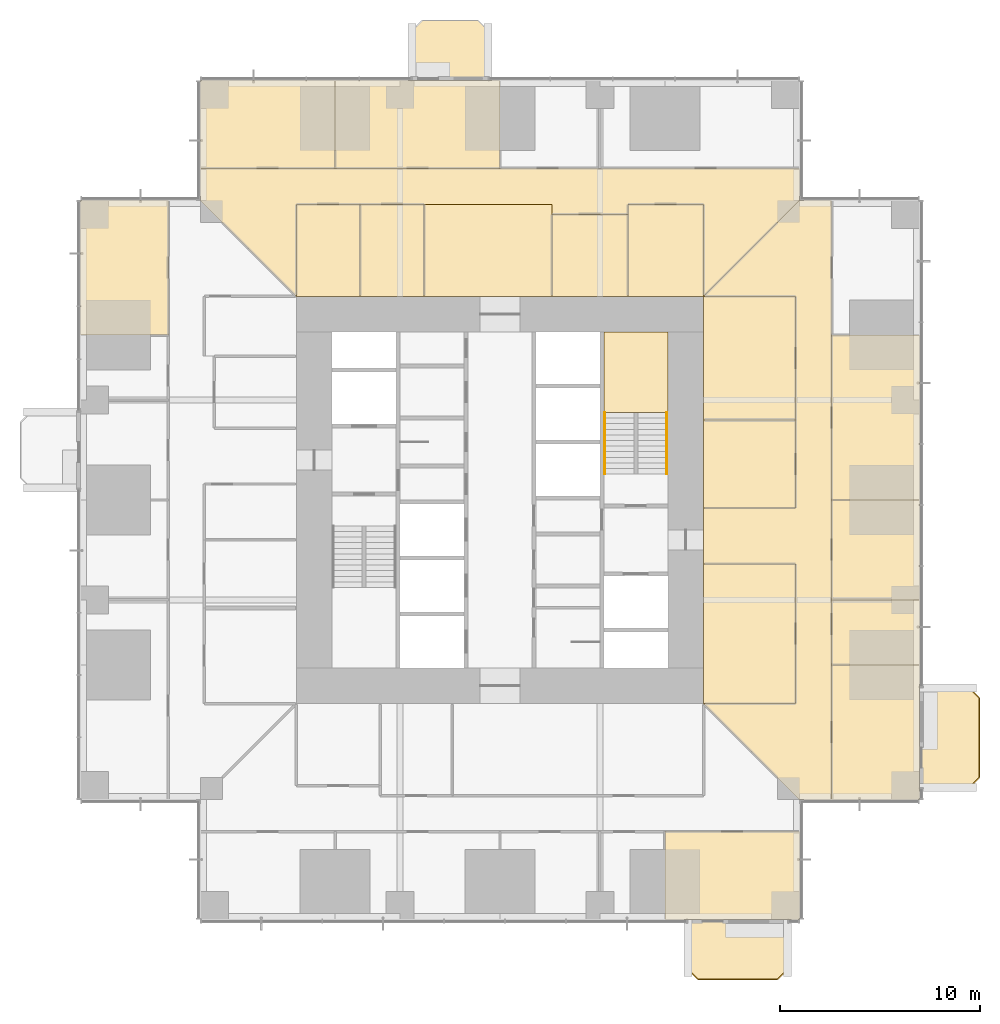
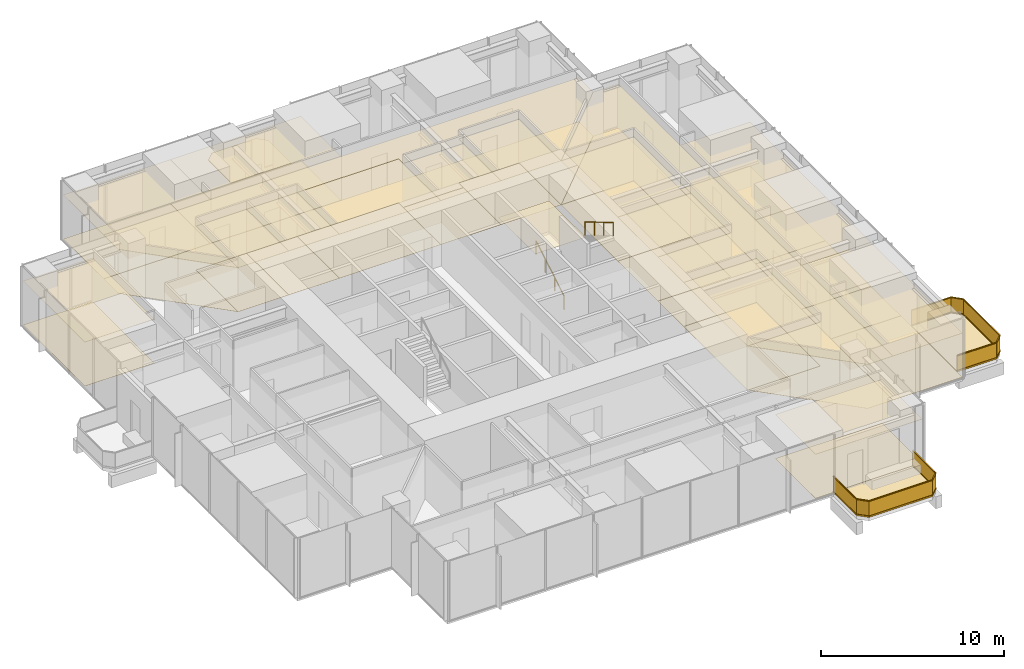
# One storey, part 15 of 17: 40 coverings, 4 railings.
"""IFC4 building model written with IfcOpenShell, lengths in metres."""

from ifc_helpers import new_model, si_unit, direction, frame, origin, origin_2d, place, context, subcontext, project, spatial, polyline, rectangle, circle, outline, extrude, material, layer, layer_set, type_object, element, save


model = new_model("IFC4")

# Units and contexts
model_context = context("Model", 3, precision=1e-05, world=origin(), true_north=direction((0.0, 1.0)))
body_context = subcontext(model_context, "Body", "Model", "MODEL_VIEW")
ifc_project = project(units=[si_unit("LENGTHUNIT", "METRE"), si_unit("AREAUNIT", "SQUARE_METRE"), si_unit("VOLUMEUNIT", "CUBIC_METRE"), si_unit("PLANEANGLEUNIT", "RADIAN"), si_unit("MASSUNIT", "GRAM", prefix="KILO")], contexts=[model_context])

# Site, building, storey
site_placement = place(None, origin())
site = spatial("IfcSite", under=ifc_project, at=site_placement, CompositionType="ELEMENT")
building_placement = place(site_placement, origin())
building = spatial("IfcBuilding", under=site, at=building_placement, Name="Svetlomir Tower", CompositionType="ELEMENT")
storey_placement = place(building_placement, frame((0.0, 0.0, 82.5)))
storey = spatial("IfcBuildingStorey", under=building, at=storey_placement, Name="L19", CompositionType="ELEMENT", Elevation=82.5)

# Railings
ifc_material_1 = material(Name="Bronze anodised aluminium and laminated glass", Category="aluminium")
railing_type_1 = type_object("IfcRailingType", Name="BALCONY GUARD GR1 1100", PredefinedType="GUARDRAIL", material=ifc_material_1)
railing_1_placement = place(storey_placement, frame((30.39990234375, 0.0, 0.0)))
element("IfcRailing", 1, at=railing_1_placement, inside=storey, type_object=railing_type_1, Name="Balcony guard S L19", PredefinedType="GUARDRAIL", context=body_context, shape_type="SweptSolid", body=[
    extrude(rectangle(XDim=0.06005859375, YDim=0.10009765625, at=origin_2d()), frame((0.0, 0.0, 0.050048828125), z_axis=(0.0, -1.0, 0.0), x_axis=(1.0, 0.0, 0.0)), (0.0, 0.0, 1.0), 2.5),
    extrude(rectangle(XDim=0.021484375, YDim=0.960205078125, at=origin_2d()), frame((0.0, 0.0, 0.580078125), z_axis=(0.0, -1.0, 0.0), x_axis=(1.0, 0.0, 0.0)), (0.0, 0.0, 1.0), 2.5),
    extrude(rectangle(XDim=0.06005859375, YDim=0.0400390625, at=origin_2d()), frame((0.0, 0.0, 1.080078125), z_axis=(0.0, -1.0, 0.0), x_axis=(1.0, 0.0, 0.0)), (0.0, 0.0, 1.0), 2.5),
    extrude(rectangle(XDim=0.06005859375, YDim=0.10009765625, at=origin_2d()), frame((0.0, -2.5, 0.050048828125), z_axis=(0.707106781187, -0.707106781187, 0.0), x_axis=(0.707106781187, 0.707106781187, 0.0)), (0.0, 0.0, 1.0), 0.70703125),
    extrude(rectangle(XDim=0.021484375, YDim=0.960205078125, at=origin_2d()), frame((0.0, -2.5, 0.580078125), z_axis=(0.707106781187, -0.707106781187, 0.0), x_axis=(0.707106781187, 0.707106781187, 0.0)), (0.0, 0.0, 1.0), 0.70703125),
    extrude(rectangle(XDim=0.06005859375, YDim=0.0400390625, at=origin_2d()), frame((0.0, -2.5, 1.080078125), z_axis=(0.707106781187, -0.707106781187, 0.0), x_axis=(0.707106781187, 0.707106781187, 0.0)), (0.0, 0.0, 1.0), 0.70703125),
    extrude(rectangle(XDim=0.06005859375, YDim=0.10009765625, at=origin_2d()), frame((0.5, -3.0, 0.050048828125), z_axis=(1.0, 0.0, 0.0), x_axis=(0.0, 1.0, 0.0)), (0.0, 0.0, 1.0), 4.0),
    extrude(rectangle(XDim=0.021484375, YDim=0.960205078125, at=origin_2d()), frame((0.5, -3.0, 0.580078125), z_axis=(1.0, 0.0, 0.0), x_axis=(0.0, 1.0, 0.0)), (0.0, 0.0, 1.0), 4.0),
    extrude(rectangle(XDim=0.06005859375, YDim=0.0400390625, at=origin_2d()), frame((0.5, -3.0, 1.080078125), z_axis=(1.0, 0.0, 0.0), x_axis=(0.0, 1.0, 0.0)), (0.0, 0.0, 1.0), 4.0),
    extrude(rectangle(XDim=0.06005859375, YDim=0.10009765625, at=origin_2d()), frame((4.5, -3.0, 0.050048828125), z_axis=(0.707106781187, 0.707106781187, 0.0), x_axis=(-0.707106781187, 0.707106781187, 0.0)), (0.0, 0.0, 1.0), 0.70703125),
    extrude(rectangle(XDim=0.021484375, YDim=0.960205078125, at=origin_2d()), frame((4.5, -3.0, 0.580078125), z_axis=(0.707106781187, 0.707106781187, 0.0), x_axis=(-0.707106781187, 0.707106781187, 0.0)), (0.0, 0.0, 1.0), 0.70703125),
    extrude(rectangle(XDim=0.06005859375, YDim=0.0400390625, at=origin_2d()), frame((4.5, -3.0, 1.080078125), z_axis=(0.707106781187, 0.707106781187, 0.0), x_axis=(-0.707106781187, 0.707106781187, 0.0)), (0.0, 0.0, 1.0), 0.70703125),
    extrude(rectangle(XDim=0.06005859375, YDim=0.10009765625, at=origin_2d()), frame((5.0, -2.5, 0.050048828125), z_axis=(0.0, 1.0, 0.0), x_axis=(-1.0, 0.0, 0.0)), (0.0, 0.0, 1.0), 2.5),
    extrude(rectangle(XDim=0.021484375, YDim=0.960205078125, at=origin_2d()), frame((5.0, -2.5, 0.580078125), z_axis=(0.0, 1.0, 0.0), x_axis=(-1.0, 0.0, 0.0)), (0.0, 0.0, 1.0), 2.5),
    extrude(rectangle(XDim=0.06005859375, YDim=0.0400390625, at=origin_2d()), frame((5.0, -2.5, 1.080078125), z_axis=(0.0, 1.0, 0.0), x_axis=(-1.0, 0.0, 0.0)), (0.0, 0.0, 1.0), 2.5),
])
railing_2_placement = place(storey_placement, frame((42.0, 6.60009765625, 0.0)))
element("IfcRailing", 2, at=railing_2_placement, inside=storey, type_object=railing_type_1, Name="Balcony guard E L19", PredefinedType="GUARDRAIL", context=body_context, shape_type="SweptSolid", body=[
    extrude(rectangle(XDim=0.06005859375, YDim=0.10009765625, at=origin_2d()), frame((0.0, 0.0, 0.050048828125), z_axis=(1.0, 0.0, 0.0), x_axis=(0.0, 1.0, 0.0)), (0.0, 0.0, 1.0), 2.5),
    extrude(rectangle(XDim=0.021484375, YDim=0.960205078125, at=origin_2d()), frame((0.0, 0.0, 0.580078125), z_axis=(1.0, 0.0, 0.0), x_axis=(0.0, 1.0, 0.0)), (0.0, 0.0, 1.0), 2.5),
    extrude(rectangle(XDim=0.06005859375, YDim=0.0400390625, at=origin_2d()), frame((0.0, 0.0, 1.080078125), z_axis=(1.0, 0.0, 0.0), x_axis=(0.0, 1.0, 0.0)), (0.0, 0.0, 1.0), 2.5),
    extrude(rectangle(XDim=0.06005859375, YDim=0.10009765625, at=origin_2d()), frame((2.5, 0.0, 0.050048828125), z_axis=(0.707106781187, 0.707106781187, 0.0), x_axis=(-0.707106781187, 0.707106781187, 0.0)), (0.0, 0.0, 1.0), 0.70703125),
    extrude(rectangle(XDim=0.021484375, YDim=0.960205078125, at=origin_2d()), frame((2.5, 0.0, 0.580078125), z_axis=(0.707106781187, 0.707106781187, 0.0), x_axis=(-0.707106781187, 0.707106781187, 0.0)), (0.0, 0.0, 1.0), 0.70703125),
    extrude(rectangle(XDim=0.06005859375, YDim=0.0400390625, at=origin_2d()), frame((2.5, 0.0, 1.080078125), z_axis=(0.707106781187, 0.707106781187, 0.0), x_axis=(-0.707106781187, 0.707106781187, 0.0)), (0.0, 0.0, 1.0), 0.70703125),
    extrude(rectangle(XDim=0.06005859375, YDim=0.10009765625, at=origin_2d()), frame((3.0, 0.5, 0.050048828125), z_axis=(0.0, 1.0, 0.0), x_axis=(-1.0, 0.0, 0.0)), (0.0, 0.0, 1.0), 4.0),
    extrude(rectangle(XDim=0.021484375, YDim=0.960205078125, at=origin_2d()), frame((3.0, 0.5, 0.580078125), z_axis=(0.0, 1.0, 0.0), x_axis=(-1.0, 0.0, 0.0)), (0.0, 0.0, 1.0), 4.0),
    extrude(rectangle(XDim=0.06005859375, YDim=0.0400390625, at=origin_2d()), frame((3.0, 0.5, 1.080078125), z_axis=(0.0, 1.0, 0.0), x_axis=(-1.0, 0.0, 0.0)), (0.0, 0.0, 1.0), 4.0),
    extrude(rectangle(XDim=0.06005859375, YDim=0.10009765625, at=origin_2d()), frame((3.0, 4.5, 0.050048828125), z_axis=(-0.707106781187, 0.707106781187, 0.0), x_axis=(-0.707106781187, -0.707106781187, 0.0)), (0.0, 0.0, 1.0), 0.70703125),
    extrude(rectangle(XDim=0.021484375, YDim=0.960205078125, at=origin_2d()), frame((3.0, 4.5, 0.580078125), z_axis=(-0.707106781187, 0.707106781187, 0.0), x_axis=(-0.707106781187, -0.707106781187, 0.0)), (0.0, 0.0, 1.0), 0.70703125),
    extrude(rectangle(XDim=0.06005859375, YDim=0.0400390625, at=origin_2d()), frame((3.0, 4.5, 1.080078125), z_axis=(-0.707106781187, 0.707106781187, 0.0), x_axis=(-0.707106781187, -0.707106781187, 0.0)), (0.0, 0.0, 1.0), 0.70703125),
    extrude(rectangle(XDim=0.06005859375, YDim=0.10009765625, at=origin_2d()), frame((2.5, 5.0, 0.050048828125), z_axis=(-1.0, 0.0, 0.0), x_axis=(0.0, -1.0, 0.0)), (0.0, 0.0, 1.0), 2.5),
    extrude(rectangle(XDim=0.021484375, YDim=0.960205078125, at=origin_2d()), frame((2.5, 5.0, 0.580078125), z_axis=(-1.0, 0.0, 0.0), x_axis=(0.0, -1.0, 0.0)), (0.0, 0.0, 1.0), 2.5),
    extrude(rectangle(XDim=0.06005859375, YDim=0.0400390625, at=origin_2d()), frame((2.5, 5.0, 1.080078125), z_axis=(-1.0, 0.0, 0.0), x_axis=(0.0, -1.0, 0.0)), (0.0, 0.0, 1.0), 2.5),
])

# Coverings
ifc_material_2 = material(Name="Granite paving slabs on pedestals", Category="masonry")
ifc_layer_1 = layer(ifc_material_2, 0.0400390625)
ifc_layer_set_1 = layer_set([ifc_layer_1], Name="Granite paving slabs on pedestals")
covering_type_1 = type_object("IfcCoveringType", Name="BALCONY PAVING 40", PredefinedType="USERDEFINED", material=ifc_layer_set_1)
covering_1_placement = place(storey_placement, origin())
element("IfcCovering", 3, at=covering_1_placement, inside=storey, type_object=covering_type_1, Name="Balcony paving S L19", ObjectType="BALCONY PAVING", PredefinedType="USERDEFINED", context=body_context, shape_type="SweptSolid", body=[
    extrude(outline(polyline([(30.39990234375, -2.5), (30.89990234375, -3.0), (34.89990234375, -3.0), (35.39990234375, -2.5), (35.39990234375, 0.0), (30.39990234375, 0.0), (30.39990234375, -2.5)])), origin(), (0.0, 0.0, 1.0), 0.0400390625),
])
covering_2_placement = place(storey_placement, origin())
element("IfcCovering", 4, at=covering_2_placement, inside=storey, type_object=covering_type_1, Name="Balcony paving E L19", ObjectType="BALCONY PAVING", PredefinedType="USERDEFINED", context=body_context, shape_type="SweptSolid", body=[
    extrude(outline(polyline([(42.0, 6.60009765625), (44.5, 6.60009765625), (45.0, 7.10009765625), (45.0, 11.10009765625), (44.5, 11.60009765625), (42.0, 11.60009765625), (42.0, 6.60009765625)])), origin(), (0.0, 0.0, 1.0), 0.0400390625),
])
covering_3_placement = place(storey_placement, origin())
element("IfcCovering", 5, at=covering_3_placement, inside=storey, type_object=covering_type_1, Name="Balcony paving N L19", ObjectType="BALCONY PAVING", PredefinedType="USERDEFINED", context=body_context, shape_type="SweptSolid", body=[
    extrude(outline(polyline([(16.60009765625, 42.0), (20.39990234375, 42.0), (20.39990234375, 44.5), (19.89990234375, 45.0), (17.10009765625, 45.0), (16.60009765625, 44.5), (16.60009765625, 42.0)])), origin(), (0.0, 0.0, 1.0), 0.0400390625),
])
ifc_material_3 = material(Name="Carpet tile", Category="textile")
ifc_layer_2 = layer(ifc_material_3, 0.010009765625)
ifc_layer_set_2 = layer_set([ifc_layer_2], Name="Carpet tile")
covering_type_2 = type_object("IfcCoveringType", Name="CARPET TILE FLOOR 10", PredefinedType="FLOORING", material=ifc_layer_set_2)
covering_4_placement = place(storey_placement, origin())
element("IfcCovering", 6, at=covering_4_placement, inside=storey, type_object=covering_type_2, Name="Floor finish L19-18", PredefinedType="FLOORING", context=body_context, shape_type="SweptSolid", body=[
    extrude(outline(polyline([(29.25, 0.0), (36.0, 0.0), (36.0, 4.39990234375), (29.25, 4.39990234375), (29.25, 0.0)])), origin(), (0.0, 0.0, 1.0), 0.010009765625),
])
covering_5_placement = place(storey_placement, origin())
element("IfcCovering", 7, at=covering_5_placement, inside=storey, type_object=covering_type_2, Name="Floor finish L19-19", PredefinedType="FLOORING", context=body_context, shape_type="SweptSolid", body=[
    extrude(outline(polyline([(31.199951171875, 20.60009765625), (35.800048828125, 20.60009765625), (35.800048828125, 25.0), (31.199951171875, 25.0), (31.199951171875, 20.60009765625)])), origin(), (0.0, 0.0, 1.0), 0.010009765625),
])
covering_6_placement = place(storey_placement, origin())
element("IfcCovering", 8, at=covering_6_placement, inside=storey, type_object=covering_type_2, Name="Floor finish L19-20", PredefinedType="FLOORING", context=body_context, shape_type="SweptSolid", body=[
    extrude(outline(polyline([(31.199951171875, 25.0), (35.800048828125, 25.0), (35.800048828125, 31.199951171875), (31.199951171875, 31.199951171875), (31.199951171875, 25.0)])), origin(), (0.0, 0.0, 1.0), 0.010009765625),
])
covering_7_placement = place(storey_placement, origin())
element("IfcCovering", 9, at=covering_7_placement, inside=storey, type_object=covering_type_2, Name="Floor finish L19-21", PredefinedType="FLOORING", context=body_context, shape_type="SweptSolid", body=[
    extrude(outline(polyline([(37.60009765625, 6.0), (42.0, 6.0), (42.0, 12.75), (37.60009765625, 12.75), (37.60009765625, 6.0)])), origin(), (0.0, 0.0, 1.0), 0.010009765625),
])
covering_8_placement = place(storey_placement, origin())
element("IfcCovering", 10, at=covering_8_placement, inside=storey, type_object=covering_type_2, Name="Floor finish L19-22", PredefinedType="FLOORING", context=body_context, shape_type="SweptSolid", body=[
    extrude(outline(polyline([(37.60009765625, 16.0), (42.0, 16.0), (42.0, 21.0), (37.60009765625, 21.0), (37.60009765625, 16.0)])), origin(), (0.0, 0.0, 1.0), 0.010009765625),
])
covering_9_placement = place(storey_placement, origin())
element("IfcCovering", 11, at=covering_9_placement, inside=storey, type_object=covering_type_2, Name="Floor finish L19-24", PredefinedType="FLOORING", context=body_context, shape_type="SweptSolid", body=[
    extrude(outline(polyline([(10.800048828125, 31.199951171875), (14.0, 31.199951171875), (14.0, 35.800048828125), (10.800048828125, 35.800048828125), (10.800048828125, 31.199951171875)])), origin(), (0.0, 0.0, 1.0), 0.010009765625),
])
covering_10_placement = place(storey_placement, origin())
element("IfcCovering", 12, at=covering_10_placement, inside=storey, type_object=covering_type_2, Name="Floor finish L19-25", PredefinedType="FLOORING", context=body_context, shape_type="SweptSolid", body=[
    extrude(outline(polyline([(14.0, 31.199951171875), (17.199951171875, 31.199951171875), (17.199951171875, 35.800048828125), (14.0, 35.800048828125), (14.0, 31.199951171875)])), origin(), (0.0, 0.0, 1.0), 0.010009765625),
])
covering_11_placement = place(storey_placement, origin())
element("IfcCovering", 13, at=covering_11_placement, inside=storey, type_object=covering_type_2, Name="Floor finish L19-26", PredefinedType="FLOORING", context=body_context, shape_type="SweptSolid", body=[
    extrude(outline(polyline([(23.60009765625, 31.199951171875), (27.39990234375, 31.199951171875), (27.39990234375, 35.300048828125), (23.60009765625, 35.300048828125), (23.60009765625, 31.199951171875)])), origin(), (0.0, 0.0, 1.0), 0.010009765625),
])
covering_12_placement = place(storey_placement, origin())
element("IfcCovering", 14, at=covering_12_placement, inside=storey, type_object=covering_type_2, Name="Floor finish L19-27", PredefinedType="FLOORING", context=body_context, shape_type="SweptSolid", body=[
    extrude(outline(polyline([(27.39990234375, 31.199951171875), (31.199951171875, 31.199951171875), (31.199951171875, 35.800048828125), (27.39990234375, 35.800048828125), (27.39990234375, 31.199951171875)])), origin(), (0.0, 0.0, 1.0), 0.010009765625),
])
covering_13_placement = place(storey_placement, origin())
element("IfcCovering", 15, at=covering_13_placement, inside=storey, type_object=covering_type_2, Name="Floor finish L19-28", PredefinedType="FLOORING", context=body_context, shape_type="SweptSolid", body=[
    extrude(outline(polyline([(6.0, 37.60009765625), (12.75, 37.60009765625), (12.75, 42.0), (6.0, 42.0), (6.0, 37.60009765625)])), origin(), (0.0, 0.0, 1.0), 0.010009765625),
])
covering_14_placement = place(storey_placement, origin())
element("IfcCovering", 16, at=covering_14_placement, inside=storey, type_object=covering_type_2, Name="Floor finish L19-36", PredefinedType="FLOORING", context=body_context, shape_type="SweptSolid", body=[
    extrude(outline(polyline([(31.199951171875, 20.60009765625), (35.800048828125, 20.60009765625), (35.800048828125, 31.199951171875), (31.199951171875, 31.199951171875), (36.0, 36.0), (37.60009765625, 36.0), (37.60009765625, 6.0), (36.0, 6.0), (31.199951171875, 10.800048828125), (35.800048828125, 10.800048828125), (35.800048828125, 17.800048828125), (31.199951171875, 17.800048828125), (31.199951171875, 20.60009765625)])), origin(), (0.0, 0.0, 1.0), 0.010009765625),
])
covering_15_placement = place(storey_placement, origin())
element("IfcCovering", 17, at=covering_15_placement, inside=storey, type_object=covering_type_2, Name="Floor finish L19-37", PredefinedType="FLOORING", context=body_context, shape_type="SweptSolid", body=[
    extrude(outline(polyline([(6.0, 37.60009765625), (36.0, 37.60009765625), (36.0, 36.0), (31.199951171875, 31.199951171875), (31.199951171875, 35.800048828125), (27.39990234375, 35.800048828125), (27.39990234375, 35.300048828125), (23.60009765625, 35.300048828125), (23.60009765625, 35.800048828125), (10.800048828125, 35.800048828125), (10.800048828125, 31.199951171875), (6.0, 36.0), (6.0, 37.60009765625)])), origin(), (0.0, 0.0, 1.0), 0.010009765625),
])
covering_16_placement = place(storey_placement, origin())
element("IfcCovering", 18, at=covering_16_placement, inside=storey, type_object=covering_type_2, Name="Floor finish L19-42", PredefinedType="FLOORING", context=body_context, shape_type="SweptSolid", body=[
    extrude(outline(polyline([(42.0, 21.0), (37.60009765625, 21.0), (37.60009765625, 29.25), (42.0, 29.25), (42.0, 21.0)])), origin(), (0.0, 0.0, 1.0), 0.010009765625),
])
covering_17_placement = place(storey_placement, origin())
element("IfcCovering", 19, at=covering_17_placement, inside=storey, type_object=covering_type_2, Name="Floor finish L19-43", PredefinedType="FLOORING", context=body_context, shape_type="SweptSolid", body=[
    extrude(outline(polyline([(42.0, 12.75), (37.60009765625, 12.75), (37.60009765625, 16.0), (42.0, 16.0), (42.0, 12.75)])), origin(), (0.0, 0.0, 1.0), 0.010009765625),
])
covering_18_placement = place(storey_placement, origin())
element("IfcCovering", 20, at=covering_18_placement, inside=storey, type_object=covering_type_2, Name="Floor finish L19-44", PredefinedType="FLOORING", context=body_context, shape_type="SweptSolid", body=[
    extrude(outline(polyline([(31.199951171875, 10.800048828125), (31.199951171875, 17.800048828125), (35.800048828125, 17.800048828125), (35.800048828125, 10.800048828125), (31.199951171875, 10.800048828125)])), origin(), (0.0, 0.0, 1.0), 0.010009765625),
])
covering_19_placement = place(storey_placement, origin())
element("IfcCovering", 21, at=covering_19_placement, inside=storey, type_object=covering_type_2, Name="Floor finish L19-45", PredefinedType="FLOORING", context=body_context, shape_type="SweptSolid", body=[
    extrude(outline(polyline([(12.75, 37.60009765625), (12.75, 42.0), (21.0, 42.0), (21.0, 37.60009765625), (12.75, 37.60009765625)])), origin(), (0.0, 0.0, 1.0), 0.010009765625),
])
covering_20_placement = place(storey_placement, origin())
element("IfcCovering", 22, at=covering_20_placement, inside=storey, type_object=covering_type_2, Name="Floor finish L19-47", PredefinedType="FLOORING", context=body_context, shape_type="SweptSolid", body=[
    extrude(outline(polyline([(17.199951171875, 31.199951171875), (17.199951171875, 35.800048828125), (23.60009765625, 35.800048828125), (23.60009765625, 31.199951171875), (17.199951171875, 31.199951171875)])), origin(), (0.0, 0.0, 1.0), 0.010009765625),
])
covering_21_placement = place(storey_placement, origin())
element("IfcCovering", 23, at=covering_21_placement, inside=storey, type_object=covering_type_2, Name="Floor finish L19-50", PredefinedType="FLOORING", context=body_context, shape_type="SweptSolid", body=[
    extrude(outline(polyline([(0.0, 36.0), (4.39990234375, 36.0), (4.39990234375, 29.25), (0.0, 29.25), (0.0, 36.0)])), origin(), (0.0, 0.0, 1.0), 0.010009765625),
])

# Railings
ifc_material_4 = material(Name="Stainless steel", Category="steel")
railing_type_2 = type_object("IfcRailingType", Name="HANDRAIL HR1 900", PredefinedType="HANDRAIL", material=ifc_material_4)
railing_3_placement = place(storey_placement, frame((26.25, 22.300048828125, 0.166748046875)))
element("IfcRailing", 24, at=railing_3_placement, inside=storey, type_object=railing_type_2, Name="Handrail S2 flight 1 L19", PredefinedType="HANDRAIL", context=body_context, shape_type="SweptSolid", body=[
    extrude(circle(Radius=0.02392578125, at=origin_2d()), frame((0.0, 0.0, 0.8759765625), z_axis=(0.0, 0.859290745958, 0.51148745235), x_axis=(-1.0, 0.0, 0.0)), (0.0, 0.0, 1.0), 3.584228515625),
    extrude(circle(Radius=0.02099609375, at=origin_2d()), origin(), (0.0, 0.0, 1.0), 0.851806640625),
    extrude(circle(Radius=0.02099609375, at=origin_2d()), frame((0.0, 1.026611328125, 0.611083984375)), (0.0, 0.0, 1.0), 0.851806640625),
    extrude(circle(Radius=0.02099609375, at=origin_2d()), frame((0.0, 2.05322265625, 1.22216796875)), (0.0, 0.0, 1.0), 0.851806640625),
    extrude(circle(Radius=0.02099609375, at=origin_2d()), frame((0.0, 3.079833984375, 1.833251953125)), (0.0, 0.0, 1.0), 0.851806640625),
])
railing_4_placement = place(storey_placement, frame((29.35009765625, 25.3798828125, 2.166748046875)))
element("IfcRailing", 25, at=railing_4_placement, inside=storey, type_object=railing_type_2, Name="Handrail S2 flight 2 L19", PredefinedType="HANDRAIL", context=body_context, shape_type="SweptSolid", body=[
    extrude(circle(Radius=0.02392578125, at=origin_2d()), frame((0.0, 0.0, 0.8759765625), z_axis=(0.0, -0.859290745958, 0.51148745235), x_axis=(1.0, 0.0, 0.0)), (0.0, 0.0, 1.0), 3.584228515625),
    extrude(circle(Radius=0.02099609375, at=origin_2d()), origin(), (0.0, 0.0, 1.0), 0.851806640625),
    extrude(circle(Radius=0.02099609375, at=origin_2d()), frame((0.0, -1.026611328125, 0.611083984375)), (0.0, 0.0, 1.0), 0.851806640625),
    extrude(circle(Radius=0.02099609375, at=origin_2d()), frame((0.0, -2.05322265625, 1.22216796875)), (0.0, 0.0, 1.0), 0.851806640625),
    extrude(circle(Radius=0.02099609375, at=origin_2d()), frame((0.0, -3.079833984375, 1.833251953125)), (0.0, 0.0, 1.0), 0.851806640625),
])

# Coverings
ifc_material_5 = material(Name="Studded rubber floor finish", Category="rubber")
ifc_layer_3 = layer(ifc_material_5, 0.006103515625)
ifc_layer_set_3 = layer_set([ifc_layer_3], Name="Studded rubber floor finish")
covering_type_3 = type_object("IfcCoveringType", Name="RUBBER LANDING FINISH 6", PredefinedType="FLOORING", material=ifc_layer_set_3)
covering_22_placement = place(storey_placement, frame((0.0, 0.0, 2.0)))
element("IfcCovering", 26, at=covering_22_placement, inside=storey, type_object=covering_type_3, Name="Stair S2 landing finish L19", PredefinedType="FLOORING", context=body_context, shape_type="SweptSolid", body=[
    extrude(outline(polyline([(26.199951171875, 25.3798828125), (29.39990234375, 25.3798828125), (29.39990234375, 29.39990234375), (26.199951171875, 29.39990234375), (26.199951171875, 25.3798828125)])), origin(), (0.0, 0.0, 1.0), 0.006103515625),
])
ifc_material_6 = material(Name="Mineral fibre ceiling tile", Category="mineral")
ifc_layer_4 = layer(ifc_material_6, 0.02001953125)
ifc_layer_set_4 = layer_set([ifc_layer_4], Name="Mineral fibre ceiling tile")
covering_type_4 = type_object("IfcCoveringType", Name="SUSPENDED CEILING 20", PredefinedType="CEILING", material=ifc_layer_set_4)
covering_23_placement = place(storey_placement, frame((0.0, 0.0, 2.929931640625)))
element("IfcCovering", 27, at=covering_23_placement, inside=storey, type_object=covering_type_4, Name="Ceiling L19-18", PredefinedType="CEILING", context=body_context, shape_type="SweptSolid", body=[
    extrude(outline(polyline([(29.25, 0.0), (36.0, 0.0), (36.0, 4.39990234375), (29.25, 4.39990234375), (29.25, 0.0)])), origin(), (0.0, 0.0, 1.0), 0.02001953125),
])
covering_24_placement = place(storey_placement, frame((0.0, 0.0, 2.929931640625)))
element("IfcCovering", 28, at=covering_24_placement, inside=storey, type_object=covering_type_4, Name="Ceiling L19-19", PredefinedType="CEILING", context=body_context, shape_type="SweptSolid", body=[
    extrude(outline(polyline([(31.199951171875, 20.60009765625), (35.800048828125, 20.60009765625), (35.800048828125, 25.0), (31.199951171875, 25.0), (31.199951171875, 20.60009765625)])), origin(), (0.0, 0.0, 1.0), 0.02001953125),
])
covering_25_placement = place(storey_placement, frame((0.0, 0.0, 2.929931640625)))
element("IfcCovering", 29, at=covering_25_placement, inside=storey, type_object=covering_type_4, Name="Ceiling L19-20", PredefinedType="CEILING", context=body_context, shape_type="SweptSolid", body=[
    extrude(outline(polyline([(31.199951171875, 25.0), (35.800048828125, 25.0), (35.800048828125, 31.199951171875), (31.199951171875, 31.199951171875), (31.199951171875, 25.0)])), origin(), (0.0, 0.0, 1.0), 0.02001953125),
])
covering_26_placement = place(storey_placement, frame((0.0, 0.0, 2.929931640625)))
element("IfcCovering", 30, at=covering_26_placement, inside=storey, type_object=covering_type_4, Name="Ceiling L19-21", PredefinedType="CEILING", context=body_context, shape_type="SweptSolid", body=[
    extrude(outline(polyline([(37.60009765625, 6.0), (42.0, 6.0), (42.0, 12.75), (37.60009765625, 12.75), (37.60009765625, 6.0)])), origin(), (0.0, 0.0, 1.0), 0.02001953125),
])
covering_27_placement = place(storey_placement, frame((0.0, 0.0, 2.929931640625)))
element("IfcCovering", 31, at=covering_27_placement, inside=storey, type_object=covering_type_4, Name="Ceiling L19-22", PredefinedType="CEILING", context=body_context, shape_type="SweptSolid", body=[
    extrude(outline(polyline([(37.60009765625, 16.0), (42.0, 16.0), (42.0, 21.0), (37.60009765625, 21.0), (37.60009765625, 16.0)])), origin(), (0.0, 0.0, 1.0), 0.02001953125),
])
covering_28_placement = place(storey_placement, frame((0.0, 0.0, 2.929931640625)))
element("IfcCovering", 32, at=covering_28_placement, inside=storey, type_object=covering_type_4, Name="Ceiling L19-24", PredefinedType="CEILING", context=body_context, shape_type="SweptSolid", body=[
    extrude(outline(polyline([(10.800048828125, 31.199951171875), (14.0, 31.199951171875), (14.0, 35.800048828125), (10.800048828125, 35.800048828125), (10.800048828125, 31.199951171875)])), origin(), (0.0, 0.0, 1.0), 0.02001953125),
])
covering_29_placement = place(storey_placement, frame((0.0, 0.0, 2.929931640625)))
element("IfcCovering", 33, at=covering_29_placement, inside=storey, type_object=covering_type_4, Name="Ceiling L19-25", PredefinedType="CEILING", context=body_context, shape_type="SweptSolid", body=[
    extrude(outline(polyline([(14.0, 31.199951171875), (17.199951171875, 31.199951171875), (17.199951171875, 35.800048828125), (14.0, 35.800048828125), (14.0, 31.199951171875)])), origin(), (0.0, 0.0, 1.0), 0.02001953125),
])
covering_30_placement = place(storey_placement, frame((0.0, 0.0, 2.929931640625)))
element("IfcCovering", 34, at=covering_30_placement, inside=storey, type_object=covering_type_4, Name="Ceiling L19-26", PredefinedType="CEILING", context=body_context, shape_type="SweptSolid", body=[
    extrude(outline(polyline([(23.60009765625, 31.199951171875), (27.39990234375, 31.199951171875), (27.39990234375, 35.300048828125), (23.60009765625, 35.300048828125), (23.60009765625, 31.199951171875)])), origin(), (0.0, 0.0, 1.0), 0.02001953125),
])
covering_31_placement = place(storey_placement, frame((0.0, 0.0, 2.929931640625)))
element("IfcCovering", 35, at=covering_31_placement, inside=storey, type_object=covering_type_4, Name="Ceiling L19-27", PredefinedType="CEILING", context=body_context, shape_type="SweptSolid", body=[
    extrude(outline(polyline([(27.39990234375, 31.199951171875), (31.199951171875, 31.199951171875), (31.199951171875, 35.800048828125), (27.39990234375, 35.800048828125), (27.39990234375, 31.199951171875)])), origin(), (0.0, 0.0, 1.0), 0.02001953125),
])
covering_32_placement = place(storey_placement, frame((0.0, 0.0, 2.929931640625)))
element("IfcCovering", 36, at=covering_32_placement, inside=storey, type_object=covering_type_4, Name="Ceiling L19-28", PredefinedType="CEILING", context=body_context, shape_type="SweptSolid", body=[
    extrude(outline(polyline([(6.0, 37.60009765625), (12.75, 37.60009765625), (12.75, 42.0), (6.0, 42.0), (6.0, 37.60009765625)])), origin(), (0.0, 0.0, 1.0), 0.02001953125),
])
covering_33_placement = place(storey_placement, frame((0.0, 0.0, 2.929931640625)))
element("IfcCovering", 37, at=covering_33_placement, inside=storey, type_object=covering_type_4, Name="Ceiling L19-36", PredefinedType="CEILING", context=body_context, shape_type="SweptSolid", body=[
    extrude(outline(polyline([(31.199951171875, 20.60009765625), (35.800048828125, 20.60009765625), (35.800048828125, 31.199951171875), (31.199951171875, 31.199951171875), (36.0, 36.0), (37.60009765625, 36.0), (37.60009765625, 6.0), (36.0, 6.0), (31.199951171875, 10.800048828125), (35.800048828125, 10.800048828125), (35.800048828125, 17.800048828125), (31.199951171875, 17.800048828125), (31.199951171875, 20.60009765625)])), origin(), (0.0, 0.0, 1.0), 0.02001953125),
])
covering_34_placement = place(storey_placement, frame((0.0, 0.0, 2.929931640625)))
element("IfcCovering", 38, at=covering_34_placement, inside=storey, type_object=covering_type_4, Name="Ceiling L19-37", PredefinedType="CEILING", context=body_context, shape_type="SweptSolid", body=[
    extrude(outline(polyline([(6.0, 37.60009765625), (36.0, 37.60009765625), (36.0, 36.0), (31.199951171875, 31.199951171875), (31.199951171875, 35.800048828125), (27.39990234375, 35.800048828125), (27.39990234375, 35.300048828125), (23.60009765625, 35.300048828125), (23.60009765625, 35.800048828125), (10.800048828125, 35.800048828125), (10.800048828125, 31.199951171875), (6.0, 36.0), (6.0, 37.60009765625)])), origin(), (0.0, 0.0, 1.0), 0.02001953125),
])
covering_35_placement = place(storey_placement, frame((0.0, 0.0, 2.929931640625)))
element("IfcCovering", 39, at=covering_35_placement, inside=storey, type_object=covering_type_4, Name="Ceiling L19-42", PredefinedType="CEILING", context=body_context, shape_type="SweptSolid", body=[
    extrude(outline(polyline([(42.0, 21.0), (37.60009765625, 21.0), (37.60009765625, 29.25), (42.0, 29.25), (42.0, 21.0)])), origin(), (0.0, 0.0, 1.0), 0.02001953125),
])
covering_36_placement = place(storey_placement, frame((0.0, 0.0, 2.929931640625)))
element("IfcCovering", 40, at=covering_36_placement, inside=storey, type_object=covering_type_4, Name="Ceiling L19-43", PredefinedType="CEILING", context=body_context, shape_type="SweptSolid", body=[
    extrude(outline(polyline([(42.0, 12.75), (37.60009765625, 12.75), (37.60009765625, 16.0), (42.0, 16.0), (42.0, 12.75)])), origin(), (0.0, 0.0, 1.0), 0.02001953125),
])
covering_37_placement = place(storey_placement, frame((0.0, 0.0, 2.929931640625)))
element("IfcCovering", 41, at=covering_37_placement, inside=storey, type_object=covering_type_4, Name="Ceiling L19-44", PredefinedType="CEILING", context=body_context, shape_type="SweptSolid", body=[
    extrude(outline(polyline([(31.199951171875, 10.800048828125), (31.199951171875, 17.800048828125), (35.800048828125, 17.800048828125), (35.800048828125, 10.800048828125), (31.199951171875, 10.800048828125)])), origin(), (0.0, 0.0, 1.0), 0.02001953125),
])
covering_38_placement = place(storey_placement, frame((0.0, 0.0, 2.929931640625)))
element("IfcCovering", 42, at=covering_38_placement, inside=storey, type_object=covering_type_4, Name="Ceiling L19-45", PredefinedType="CEILING", context=body_context, shape_type="SweptSolid", body=[
    extrude(outline(polyline([(12.75, 37.60009765625), (12.75, 42.0), (21.0, 42.0), (21.0, 37.60009765625), (12.75, 37.60009765625)])), origin(), (0.0, 0.0, 1.0), 0.02001953125),
])
covering_39_placement = place(storey_placement, frame((0.0, 0.0, 2.929931640625)))
element("IfcCovering", 43, at=covering_39_placement, inside=storey, type_object=covering_type_4, Name="Ceiling L19-47", PredefinedType="CEILING", context=body_context, shape_type="SweptSolid", body=[
    extrude(outline(polyline([(17.199951171875, 31.199951171875), (17.199951171875, 35.800048828125), (23.60009765625, 35.800048828125), (23.60009765625, 31.199951171875), (17.199951171875, 31.199951171875)])), origin(), (0.0, 0.0, 1.0), 0.02001953125),
])
covering_40_placement = place(storey_placement, frame((0.0, 0.0, 2.929931640625)))
element("IfcCovering", 44, at=covering_40_placement, inside=storey, type_object=covering_type_4, Name="Ceiling L19-50", PredefinedType="CEILING", context=body_context, shape_type="SweptSolid", body=[
    extrude(outline(polyline([(0.0, 36.0), (4.39990234375, 36.0), (4.39990234375, 29.25), (0.0, 29.25), (0.0, 36.0)])), origin(), (0.0, 0.0, 1.0), 0.02001953125),
])

save(model, "model.ifc")
